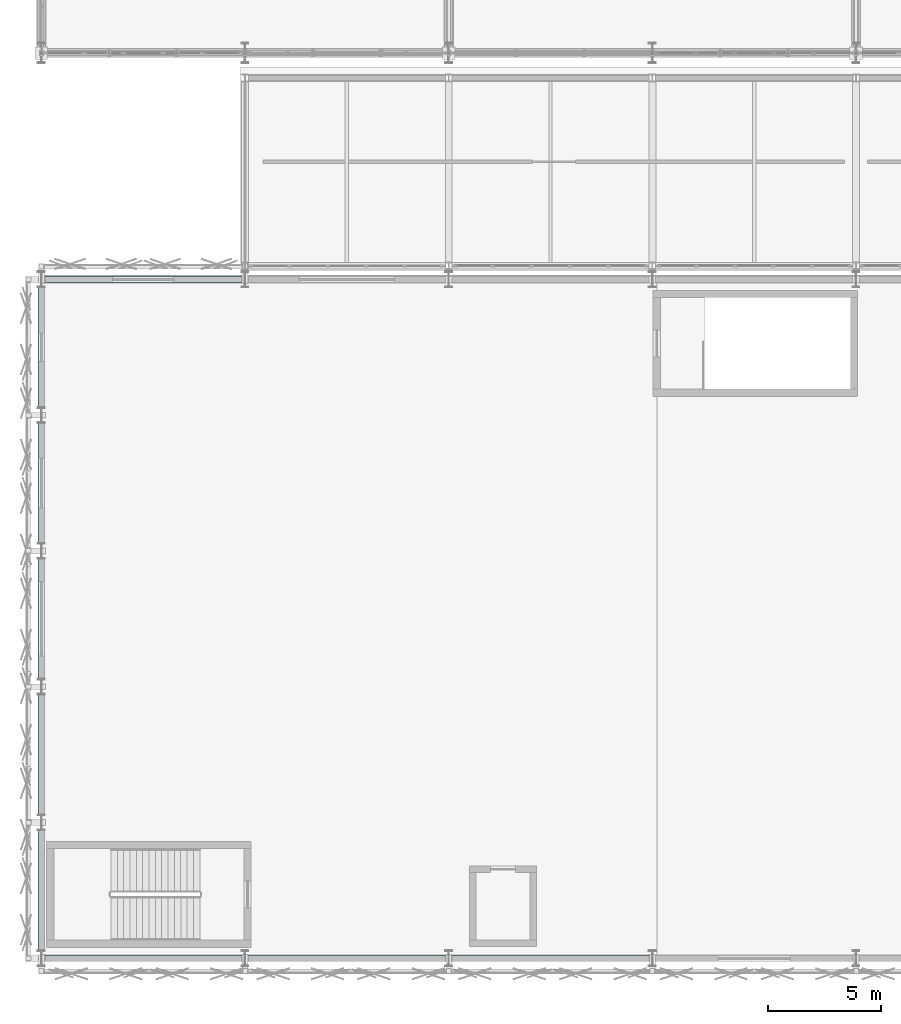
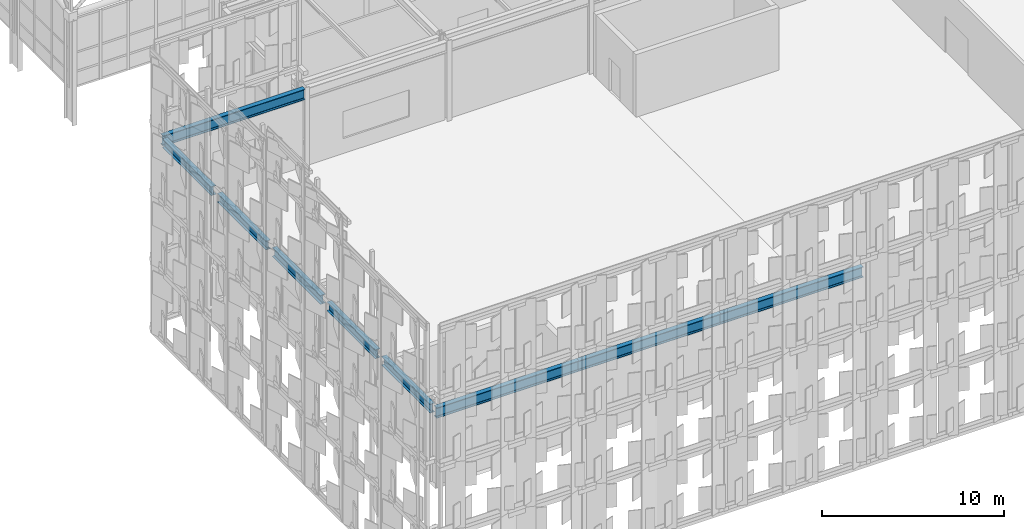
# One storey, part 23 of 239: 9 beams.
"""IFC4 building model written with IfcOpenShell, lengths in metres."""

from ifc_helpers import new_model, si_unit, direction, frame, origin, origin_2d, place, context, subcontext, project, spatial, i_section, extrude, material, material_profile, profile_set, type_object, element, save


model = new_model("IFC4")

# Units and contexts
model_context = context("Model", 3, precision=1e-05, world=origin(), true_north=direction((0.0, 1.0)))
body_context = subcontext(model_context, "Body", "Model", "MODEL_VIEW")
ifc_project = project(units=[si_unit("LENGTHUNIT", "METRE"), si_unit("AREAUNIT", "SQUARE_METRE"), si_unit("VOLUMEUNIT", "CUBIC_METRE"), si_unit("PLANEANGLEUNIT", "RADIAN"), si_unit("MASSUNIT", "GRAM", prefix="KILO")], contexts=[model_context])

# Site, building, storey
site_placement = place(None, origin())
site = spatial("IfcSite", under=ifc_project, at=site_placement, CompositionType="ELEMENT")
building_placement = place(site_placement, origin())
building = spatial("IfcBuilding", under=site, at=building_placement, Name="Kaldris Quays Convention Centre", CompositionType="ELEMENT")
storey_placement = place(building_placement, frame((0.0, 0.0, 11.39990234375)))
storey = spatial("IfcBuildingStorey", under=building, at=storey_placement, Name="L02", CompositionType="ELEMENT", Elevation=11.39990234375)

# Beams
ifc_material = material(Name="Steel S355J2", Category="steel")
ifc_material_profile_1 = material_profile(ifc_material, i_section(OverallWidth=0.300048828125, OverallDepth=0.699951171875, WebThickness=0.01708984375, FlangeThickness=0.031982421875, FilletRadius=0.027099609375, at=origin_2d()), Name="HEB 700")
ifc_profile_set_1 = profile_set([ifc_material_profile_1], Name="Steel S355J2")
beam_type_1 = type_object("IfcBeamType", Name="STRUCTURAL BEAM BM04", PredefinedType="BEAM", material=ifc_profile_set_1)
for number, where, z_axis, x_axis, name in (
    (1, (20.00244140625, 16.0, 4.81298828125), (1.0, 0.0, 0.0), (0.0, 1.0, 0.0), "L02 Girder BM04 1"),
    (2, (29.00244140625, 16.0, 4.81298828125), (1.0, 0.0, 0.0), (0.0, 1.0, 0.0), "L02 Girder BM04 2"),
    (3, (38.00244140625, 16.0, 4.81298828125), (1.0, 0.0, 0.0), (0.0, 1.0, 0.0), "L02 Girder BM04 3"),
    (4, (20.00244140625, 46.0, 4.81298828125), (1.0, 0.0, 0.0), (0.0, 1.0, 0.0), "L02 Girder BM04 8"),
):
    element("IfcBeam", number, at=place(storey_placement, frame(where, z_axis=z_axis, x_axis=x_axis)), inside=storey, type_object=beam_type_1, Name=name, PredefinedType="BEAM", context=body_context, shape_type="SweptSolid", body=[
        extrude(i_section(OverallWidth=0.300048828125, OverallDepth=0.699951171875, WebThickness=0.01708984375, FlangeThickness=0.031982421875, FilletRadius=0.027099609375, at=origin_2d()), origin(), (0.0, 0.0, 1.0), 8.9951171875),
    ])
ifc_material_profile_2 = material_profile(ifc_material, i_section(OverallWidth=0.300048828125, OverallDepth=0.60009765625, WebThickness=0.015380859375, FlangeThickness=0.030029296875, FilletRadius=0.027099609375, at=origin_2d()), Name="HEB 600")
ifc_profile_set_2 = profile_set([ifc_material_profile_2], Name="Steel S355J2")
beam_type_2 = type_object("IfcBeamType", Name="STRUCTURAL BEAM BM05", PredefinedType="BEAM", material=ifc_profile_set_2)
for number, where, z_axis, x_axis, name in (
    (5, (20.0, 16.343994140625, 4.863037109375), (0.0, 1.0, 0.0), (-1.0, 0.0, 0.0), "L02 Girder BM05 15"),
    (6, (20.0, 22.343994140625, 4.863037109375), (0.0, 1.0, 0.0), (-1.0, 0.0, 0.0), "L02 Girder BM05 16"),
    (7, (20.0, 28.343994140625, 4.863037109375), (0.0, 1.0, 0.0), (-1.0, 0.0, 0.0), "L02 Girder BM05 17"),
    (8, (20.0, 34.343994140625, 4.863037109375), (0.0, 1.0, 0.0), (-1.0, 0.0, 0.0), "L02 Girder BM05 18"),
    (9, (20.0, 40.343994140625, 4.863037109375), (0.0, 1.0, 0.0), (-1.0, 0.0, 0.0), "L02 Girder BM05 19"),
):
    element("IfcBeam", number, at=place(storey_placement, frame(where, z_axis=z_axis, x_axis=x_axis)), inside=storey, type_object=beam_type_2, Name=name, PredefinedType="BEAM", context=body_context, shape_type="SweptSolid", body=[
        extrude(i_section(OverallWidth=0.300048828125, OverallDepth=0.60009765625, WebThickness=0.015380859375, FlangeThickness=0.030029296875, FilletRadius=0.027099609375, at=origin_2d()), origin(), (0.0, 0.0, 1.0), 5.31201171875),
    ])

save(model, "model.ifc")
